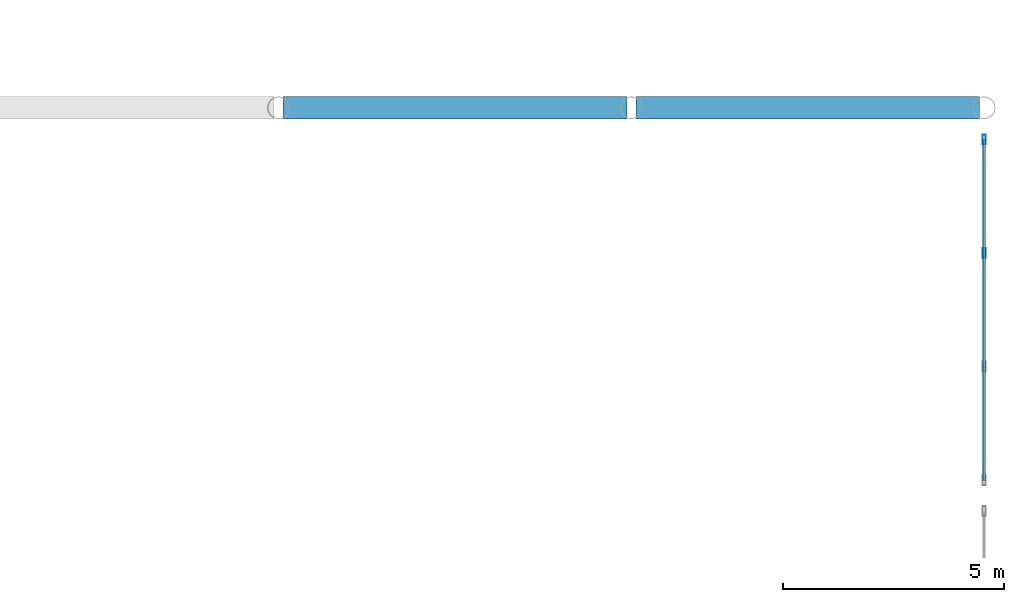
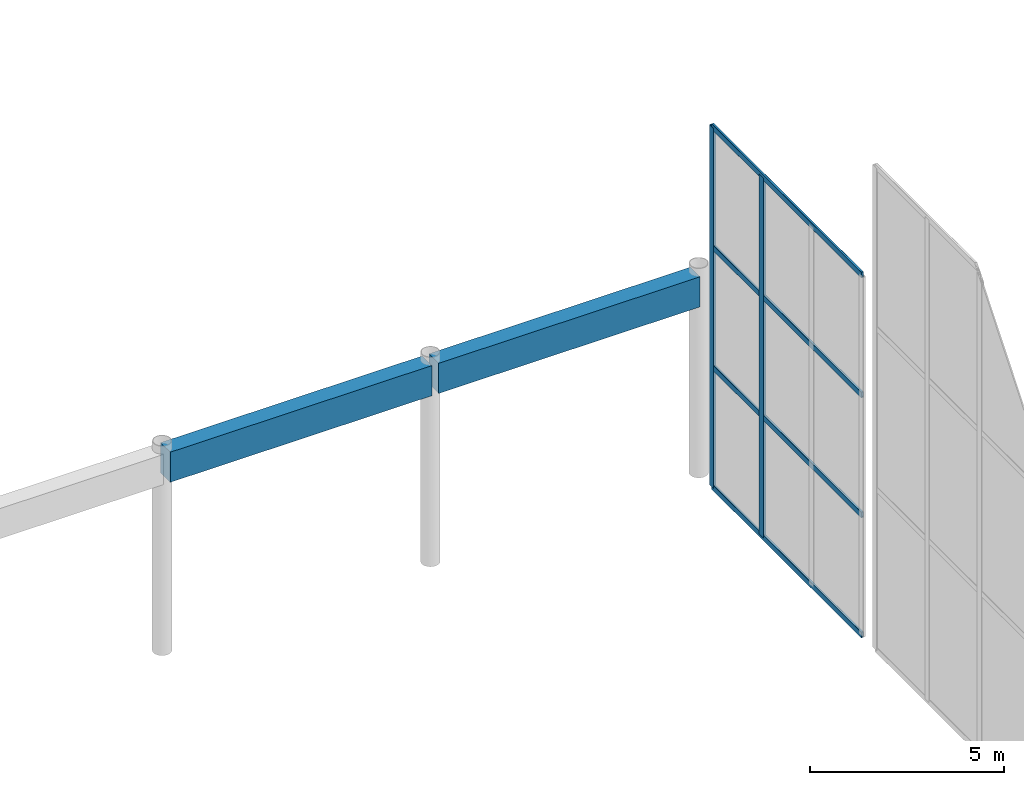
# One storey, part 111 of 163: 6 members, 2 beams, 1 element without a shape of its own.
"""IFC4 building model written with IfcOpenShell, lengths in metres."""

from ifc_helpers import new_model, si_unit, direction, frame, origin, origin_2d, place, context, subcontext, project, spatial, rectangle, hollow_rectangle, extrude, material, material_profile, profile_set, type_object, element, aggregate, save


model = new_model("IFC4")

# Units and contexts
model_context = context("Model", 3, precision=1e-05, world=origin(), true_north=direction((0.0, 1.0)))
body_context = subcontext(model_context, "Body", "Model", "MODEL_VIEW")
ifc_project = project(units=[si_unit("LENGTHUNIT", "METRE"), si_unit("AREAUNIT", "SQUARE_METRE"), si_unit("VOLUMEUNIT", "CUBIC_METRE"), si_unit("PLANEANGLEUNIT", "RADIAN"), si_unit("MASSUNIT", "GRAM", prefix="KILO")], contexts=[model_context])

# Site, building, storey
site_placement = place(None, origin())
site = spatial("IfcSite", under=ifc_project, at=site_placement, CompositionType="ELEMENT")
building_placement = place(site_placement, origin())
building = spatial("IfcBuilding", under=site, at=building_placement, Name="Varnabhumi Central Station", CompositionType="ELEMENT")
storey_placement = place(building_placement, frame((0.0, 0.0, 9.60009765625)))
storey = spatial("IfcBuildingStorey", under=building, at=storey_placement, Name="L02", CompositionType="ELEMENT", Elevation=9.60009765625)

# Beams
ifc_material_1 = material(Name="Concrete M40", Category="concrete")
ifc_material_profile_1 = material_profile(ifc_material_1, rectangle(XDim=0.5, YDim=0.949951171875, at=origin_2d()), Name="Concrete M40", Category="concrete")
ifc_profile_set_1 = profile_set([ifc_material_profile_1], Name="Concrete M40")
beam_type = type_object("IfcBeamType", Name="BM-RC-950x500", PredefinedType="BEAM", material=ifc_profile_set_1)
for number, where, z_axis, x_axis, name in (
    (1, (168.10009765625, 80.0, 5.875), (1.0, 0.0, 0.0), (0.0, 1.0, 0.0), "Beam L02-K:22-23"),
    (2, (176.10009765625, 80.0, 5.875), (1.0, 0.0, 0.0), (0.0, 1.0, 0.0), "Beam L02-K:23-24"),
):
    element("IfcBeam", number, at=place(storey_placement, frame(where, z_axis=z_axis, x_axis=x_axis)), inside=storey, type_object=beam_type, Name=name, PredefinedType="BEAM", context=body_context, shape_type="SweptSolid", body=[
        extrude(rectangle(XDim=0.5, YDim=0.949951171875, at=origin_2d()), origin(), (0.0, 0.0, 1.0), 7.7998046875),
    ])

# Curtain wall, members
ifc_material_2 = material(Name="Anodised aluminium 6063-T6", Category="aluminium")
curtain_wall_type = type_object("IfcCurtainWallType", Name="CW-VAULT-ARCH-V5", PredefinedType="NOTDEFINED", material=ifc_material_2)
curtain_wall_placement = place(storey_placement, origin())
curtain_wall = element("IfcCurtainWall", 3, at=curtain_wall_placement, inside=storey, type_object=curtain_wall_type, Name="Curtain Wall CW-WG5", PredefinedType="NOTDEFINED")
ifc_material_profile_2 = material_profile(ifc_material_2, hollow_rectangle(XDim=0.074951171875, YDim=0.219970703125, WallThickness=0.0048828125, InnerFilletRadius=0.0009765625, OuterFilletRadius=0.006103515625, at=origin_2d()), Name="Anodised aluminium 6063-T6", Category="aluminium")
ifc_profile_set_2 = profile_set([ifc_material_profile_2], Name="Anodised aluminium 6063-T6")
member_type_1 = type_object("IfcMemberType", Name="CW-MUL-220", PredefinedType="MULLION", material=ifc_profile_set_2)
member_1_placement = place(storey_placement, frame((184.0, 76.703369140625, 0.0), z_axis=(0.0, 0.0, 1.0), x_axis=(1.0, 0.0, 0.0)))
member_1 = element("IfcMember", 4, at=member_1_placement, type_object=member_type_1, Name="Curtain Wall Mullion CW-WG5-M3", PredefinedType="MULLION", context=body_context, shape_type="SweptSolid", body=[
    extrude(hollow_rectangle(XDim=0.074951171875, YDim=0.219970703125, WallThickness=0.0048828125, InnerFilletRadius=0.0009765625, OuterFilletRadius=0.006103515625, at=origin_2d()), origin(), (0.0, 0.0, 1.0), 11.346435546875),
])
member_2_placement = place(storey_placement, frame((184.0, 79.280029296875, 0.0), z_axis=(0.0, 0.0, 1.0), x_axis=(1.0, 0.0, 0.0)))
member_2 = element("IfcMember", 5, at=member_2_placement, type_object=member_type_1, Name="Curtain Wall Mullion CW-WG5-M4", PredefinedType="MULLION", context=body_context, shape_type="SweptSolid", body=[
    extrude(hollow_rectangle(XDim=0.074951171875, YDim=0.219970703125, WallThickness=0.0048828125, InnerFilletRadius=0.0009765625, OuterFilletRadius=0.006103515625, at=origin_2d()), origin(), (0.0, 0.0, 1.0), 11.346435546875),
])
ifc_material_profile_3 = material_profile(ifc_material_2, hollow_rectangle(XDim=0.06494140625, YDim=0.179931640625, WallThickness=0.00390625, InnerFilletRadius=0.001953125, OuterFilletRadius=0.006103515625, at=origin_2d()), Name="Anodised aluminium 6063-T6", Category="aluminium")
ifc_profile_set_3 = profile_set([ifc_material_profile_3], Name="Anodised aluminium 6063-T6")
member_type_2 = type_object("IfcMemberType", Name="CW-TR-180", PredefinedType="USERDEFINED", material=ifc_profile_set_3)
member_3_placement = place(storey_placement, frame((184.0, 71.550048828125, 0.0), z_axis=(0.0, 1.0, 0.0), x_axis=(-1.0, 0.0, 0.0)))
member_3 = element("IfcMember", 6, at=member_3_placement, type_object=member_type_2, Name="Curtain Wall Transom CW-WG5-T1", ObjectType="TRANSOM", PredefinedType="USERDEFINED", context=body_context, shape_type="SweptSolid", body=[
    extrude(hollow_rectangle(XDim=0.06494140625, YDim=0.179931640625, WallThickness=0.00390625, InnerFilletRadius=0.001953125, OuterFilletRadius=0.006103515625, at=origin_2d()), origin(), (0.0, 0.0, 1.0), 7.72998046875),
])
member_4_placement = place(storey_placement, frame((184.0, 71.550048828125, 3.781982421875), z_axis=(0.0, 1.0, 0.0), x_axis=(-1.0, 0.0, 0.0)))
member_4 = element("IfcMember", 7, at=member_4_placement, type_object=member_type_2, Name="Curtain Wall Transom CW-WG5-T2", ObjectType="TRANSOM", PredefinedType="USERDEFINED", context=body_context, shape_type="SweptSolid", body=[
    extrude(hollow_rectangle(XDim=0.06494140625, YDim=0.179931640625, WallThickness=0.00390625, InnerFilletRadius=0.001953125, OuterFilletRadius=0.006103515625, at=origin_2d()), origin(), (0.0, 0.0, 1.0), 7.72998046875),
])
member_5_placement = place(storey_placement, frame((184.0, 71.550048828125, 7.564208984375), z_axis=(0.0, 1.0, 0.0), x_axis=(-1.0, 0.0, 0.0)))
member_5 = element("IfcMember", 8, at=member_5_placement, type_object=member_type_2, Name="Curtain Wall Transom CW-WG5-T3", ObjectType="TRANSOM", PredefinedType="USERDEFINED", context=body_context, shape_type="SweptSolid", body=[
    extrude(hollow_rectangle(XDim=0.06494140625, YDim=0.179931640625, WallThickness=0.00390625, InnerFilletRadius=0.001953125, OuterFilletRadius=0.006103515625, at=origin_2d()), origin(), (0.0, 0.0, 1.0), 7.72998046875),
])
member_6_placement = place(storey_placement, frame((184.0, 71.550048828125, 11.346435546875), z_axis=(0.0, 1.0, 0.0), x_axis=(-1.0, 0.0, 0.0)))
member_6 = element("IfcMember", 9, at=member_6_placement, type_object=member_type_2, Name="Curtain Wall Transom CW-WG5-T4", ObjectType="TRANSOM", PredefinedType="USERDEFINED", context=body_context, shape_type="SweptSolid", body=[
    extrude(hollow_rectangle(XDim=0.06494140625, YDim=0.179931640625, WallThickness=0.00390625, InnerFilletRadius=0.001953125, OuterFilletRadius=0.006103515625, at=origin_2d()), origin(), (0.0, 0.0, 1.0), 7.72998046875),
])
aggregate(curtain_wall, [member_1, member_2, member_3, member_4, member_5, member_6])

save(model, "model.ifc")
